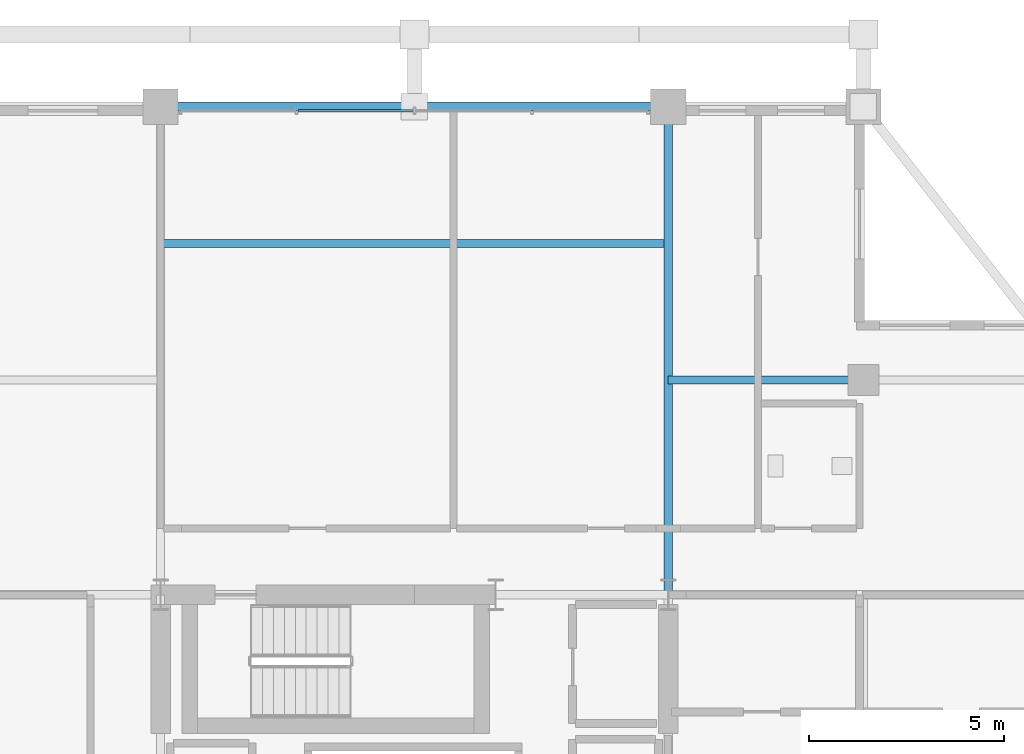
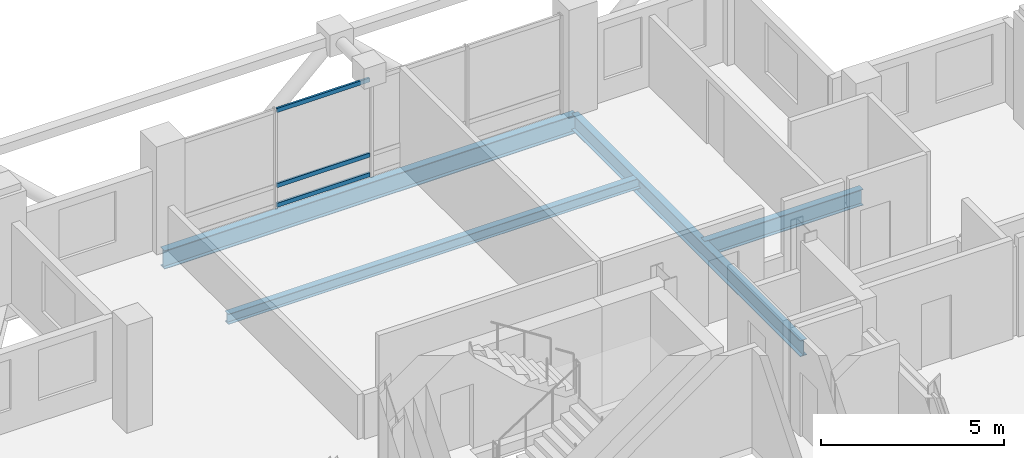
# One storey, part 16 of 25: 4 beams, 3 members, 1 element without a shape of its own.
"""IFC4 building model written with IfcOpenShell, lengths in metres."""

import ifcopenshell
import ifcopenshell.guid

model = None  # the IFC model being written
_history = None  # IfcOwnerHistory: only IFC2X3 demands one
_inside = {}  # id of a spatial element -> (the spatial element, [elements in it])
_under = {}  # id of a project, library or spatial element -> (it, [spatial elements below it])
_declared = {}  # id of a project -> (the project, [libraries it declares])
_typed = {}  # id of a type object -> (the type object, [elements of that type])
_made_of = {}  # id of a material, layer set ... -> (it, [elements and type objects made of it])


def new_model(schema):
    """Start an empty IFC model of exactly this schema.

    Asked for "IFC4X3", IfcOpenShell would pick the latest addendum, in which some entities
    have other attributes; the version numbers below select the first issue.
    IFC2X3 requires an IfcOwnerHistory on every rooted entity: one is made here for all.
    """
    global model, _history
    if schema == "IFC4X3":
        model = ifcopenshell.file(schema_version=(4, 3, 0, 0))
    else:
        model = ifcopenshell.file(schema=schema)
    _inside.clear()
    _under.clear()
    _declared.clear()
    _typed.clear()
    _made_of.clear()
    _history = None
    if model.schema == "IFC2X3":
        org = make("IfcOrganization", Name="unknown")
        user = make(
            "IfcPersonAndOrganization",
            ThePerson=make("IfcPerson", FamilyName="unknown"),
            TheOrganization=org,
        )
        app = make(
            "IfcApplication",
            ApplicationDeveloper=org,
            Version="unknown",
            ApplicationFullName="unknown",
            ApplicationIdentifier="unknown",
        )
        _history = make(
            "IfcOwnerHistory",
            OwningUser=user,
            OwningApplication=app,
            ChangeAction="ADDED",
            CreationDate=0,
        )
    return model


def make(cls, **values):
    """One entity of the class cls with the attributes given. An attribute that is None is left unset."""
    return model.create_entity(
        cls, **{name: value for name, value in values.items() if value is not None}
    )


def rooted(cls, **values):
    """An entity with a GlobalId (a new one), such as an element, a storey or a relation."""
    return make(cls, GlobalId=ifcopenshell.guid.new(), OwnerHistory=_history, **values)


def si_unit(unit_type, name, prefix=None):
    """IfcSIUnit, for example si_unit("LENGTHUNIT", "METRE", prefix="MILLI")."""
    return make("IfcSIUnit", UnitType=unit_type, Prefix=prefix, Name=name)


def assignment(units):
    """IfcUnitAssignment: the units of a project."""
    return None if units is None else make("IfcUnitAssignment", Units=units)


def point(xyz):
    """IfcCartesianPoint."""
    return None if xyz is None else make("IfcCartesianPoint", Coordinates=xyz)


def direction(xyz):
    """IfcDirection."""
    return None if xyz is None else make("IfcDirection", DirectionRatios=xyz)


def frame(location, z_axis=None, x_axis=None):
    """IfcAxis2Placement3D, a coordinate frame: its origin and axes. An axis left out is left unset."""
    return make(
        "IfcAxis2Placement3D",
        Location=point(location),
        Axis=direction(z_axis),
        RefDirection=direction(x_axis),
    )


def frame_2d(location, x_axis=None):
    """IfcAxis2Placement2D, a coordinate frame in the plane: its origin and x axis."""
    return make(
        "IfcAxis2Placement2D", Location=point(location), RefDirection=direction(x_axis)
    )


def origin():
    """The frame at (0, 0, 0) with its axes left unset."""
    return frame((0.0, 0.0, 0.0))


def origin_2d():
    """The frame at (0, 0) in the plane with its x axis left unset."""
    return frame_2d((0.0, 0.0))


def place(relative_to, where):
    """IfcLocalPlacement: puts the frame where relative to a parent placement (None: the world)."""
    return make(
        "IfcLocalPlacement", PlacementRelTo=relative_to, RelativePlacement=where
    )


def context(
    kind, dimensions, precision=None, world=None, true_north=None, identifier=None
):
    """IfcGeometricRepresentationContext, for example the 3D "Model" context."""
    return make(
        "IfcGeometricRepresentationContext",
        ContextIdentifier=identifier,
        ContextType=kind,
        CoordinateSpaceDimension=dimensions,
        Precision=precision,
        WorldCoordinateSystem=world,
        TrueNorth=true_north,
    )


def subcontext(parent, identifier, kind, view, scale=None):
    """IfcGeometricRepresentationSubContext, for example "Body" below "Model"."""
    return make(
        "IfcGeometricRepresentationSubContext",
        ContextIdentifier=identifier,
        ContextType=kind,
        ParentContext=parent,
        TargetScale=scale,
        TargetView=view,
    )


def project(units=None, contexts=None):
    """IfcProject with its units and contexts."""
    return rooted(
        "IfcProject",
        Name="project",
        RepresentationContexts=contexts,
        UnitsInContext=assignment(units),
    )


def spatial(cls, under=None, at=None, **own):
    """A site, building, storey or space (cls), placed at a placement, below another one or the project."""
    s = rooted(cls, ObjectPlacement=at, **own)
    if under is not None:
        _under.setdefault(under.id(), (under, []))[1].append(s)
    return s


def profile(cls, at=None, kind="AREA", **sizes):
    """A parametric profile (cls). Its sizes go by their IFC names, for example OverallWidth=200.0."""
    return make(cls, ProfileType=kind, Position=at, **sizes)


def hollow_rectangle(**sizes):
    """IfcRectangleHollowProfileDef."""
    return profile("IfcRectangleHollowProfileDef", **sizes)


def i_section(**sizes):
    """IfcIShapeProfileDef."""
    return profile("IfcIShapeProfileDef", **sizes)


def extrude(swept, where, along, depth):
    """IfcExtrudedAreaSolid: the profile swept, set in the frame where, extruded along a direction by depth."""
    return make(
        "IfcExtrudedAreaSolid",
        SweptArea=swept,
        Position=where,
        ExtrudedDirection=direction(along),
        Depth=depth,
    )


def shape(context_of_items, identifier, shape_type, items):
    """IfcShapeRepresentation: the items that make up one representation, for example the "Body"."""
    return make(
        "IfcShapeRepresentation",
        ContextOfItems=context_of_items,
        RepresentationIdentifier=identifier,
        RepresentationType=shape_type,
        Items=items,
    )


def material(Name=None, Category=None):
    """IfcMaterial."""
    return make("IfcMaterial", Name=Name, Category=Category)


def layer(
    of_material, thickness, ventilated=None, Name=None, Category=None, Priority=None
):
    """IfcMaterialLayer: one layer of a wall or slab, of a material (None: an air gap)."""
    return make(
        "IfcMaterialLayer",
        Material=of_material,
        LayerThickness=thickness,
        IsVentilated=ventilated,
        Name=Name,
        Category=Category,
        Priority=Priority,
    )


def layer_set(layers, Name=None):
    """IfcMaterialLayerSet."""
    return make("IfcMaterialLayerSet", MaterialLayers=layers, LayerSetName=Name)


def material_profile(
    of_material, cross_section, Name=None, Category=None, Priority=None
):
    """IfcMaterialProfile: a cross section and its material."""
    return make(
        "IfcMaterialProfile",
        Name=Name,
        Material=of_material,
        Profile=cross_section,
        Priority=Priority,
        Category=Category,
    )


def profile_set(profiles, Name=None, composite=None):
    """IfcMaterialProfileSet."""
    return make(
        "IfcMaterialProfileSet",
        Name=Name,
        MaterialProfiles=profiles,
        CompositeProfile=composite,
    )


def made_of(thing, what):
    """Note that an element or type object is made of a material, layer set ...; save() writes the relation."""
    if what is not None:
        _made_of.setdefault(what.id(), (what, []))[1].append(thing)
    return thing


def type_object(cls, material=None, **own):
    """A type object (cls), such as IfcWallType, which elements share."""
    return made_of(rooted(cls, **own), material)


def element(
    cls,
    number,
    at=None,
    inside=None,
    cuts=None,
    type_object=None,
    material=None,
    context=None,
    identifier="Body",
    shape_type=None,
    held_by="IfcProductDefinitionShape",
    body=None,
    shapes=None,
    **own,
):
    """One element of the class cls, such as IfcWall. Its Tag is "e" and its number.

    at: its placement. inside: the storey or other place that contains it. cuts: it is an
    opening in that element (IfcRelVoidsElement). A single representation is given by context,
    identifier, shape_type and body (its items); several are given by shapes. held_by: the class
    of the entity that holds the representations. save() writes the other relations.
    """
    e = rooted(cls, Tag="e%d" % number, ObjectPlacement=at, **own)
    if body is not None:
        shapes = [shape(context, identifier, shape_type, body)]
    if shapes is not None:
        e.Representation = make(held_by, Representations=shapes)
    if inside is not None:
        _inside.setdefault(inside.id(), (inside, []))[1].append(e)
    if cuts is not None:
        rooted(
            "IfcRelVoidsElement", RelatingBuildingElement=cuts, RelatedOpeningElement=e
        )
    if type_object is not None:
        _typed.setdefault(type_object.id(), (type_object, []))[1].append(e)
    return made_of(e, material)


def aggregate(whole, parts):
    """IfcRelAggregates: a whole, such as a stair, and the parts it consists of."""
    return rooted("IfcRelAggregates", RelatingObject=whole, RelatedObjects=parts)


def save(model, path):
    """Write the relations noted so far, then the file.

    IfcRelAggregates (storeys below a building ...), IfcRelContainedInSpatialStructure (elements
    in a storey), IfcRelDefinesByType, IfcRelAssociatesMaterial and IfcRelDeclares: one each for
    every whole, place, type object, material and project.
    """
    for whole, parts in _under.values():
        aggregate(whole, parts)
    for where, things in _inside.values():
        rooted(
            "IfcRelContainedInSpatialStructure",
            RelatedElements=things,
            RelatingStructure=where,
        )
    for kind, things in _typed.values():
        rooted("IfcRelDefinesByType", RelatedObjects=things, RelatingType=kind)
    for what, things in _made_of.values():
        rooted("IfcRelAssociatesMaterial", RelatedObjects=things, RelatingMaterial=what)
    for by, libraries in _declared.values():
        rooted("IfcRelDeclares", RelatingContext=by, RelatedDefinitions=libraries)
    model.write(path)


model = new_model("IFC4")

# Units and contexts
model_context = context("Model", 3, precision=1e-05, world=origin(), true_north=direction((0.0, 1.0)))
body_context = subcontext(model_context, "Body", "Model", "MODEL_VIEW")
ifc_project = project(units=[si_unit("LENGTHUNIT", "METRE"), si_unit("AREAUNIT", "SQUARE_METRE"), si_unit("VOLUMEUNIT", "CUBIC_METRE"), si_unit("PLANEANGLEUNIT", "RADIAN"), si_unit("MASSUNIT", "GRAM", prefix="KILO")], contexts=[model_context])

# Site, building, storey
site_placement = place(None, origin())
site = spatial("IfcSite", under=ifc_project, at=site_placement, CompositionType="ELEMENT")
building_placement = place(site_placement, origin())
building = spatial("IfcBuilding", under=site, at=building_placement, Name="Barlavira Tower and Art Museum", CompositionType="ELEMENT")
storey_placement = place(building_placement, frame((0.0, 0.0, 301.5)))
storey = spatial("IfcBuildingStorey", under=building, at=storey_placement, Name="L79", CompositionType="ELEMENT", Elevation=301.5)

# Curtain wall, members
ifc_material_1 = material(Name="Low-iron coastal laminated glass", Category="glass")
ifc_layer = layer(ifc_material_1, 0.2099609375, Name="Low-iron coastal laminated glass")
ifc_layer_set = layer_set([ifc_layer], Name="Low-iron coastal laminated glass")
curtain_wall_type = type_object("IfcCurtainWallType", Name="Pale-Metal Unitised Curtain Wall Zone 4", PredefinedType="NOTDEFINED", material=ifc_layer_set)
curtain_wall_placement = place(storey_placement, origin())
curtain_wall = element("IfcCurtainWall", 1, at=curtain_wall_placement, inside=storey, type_object=curtain_wall_type, Name="L79 Curtain Wall CW4-L79-N-B2", PredefinedType="NOTDEFINED")
ifc_material_2 = material(Name="Pale anodised aluminium", Category="aluminium")
ifc_material_profile_1 = material_profile(ifc_material_2, hollow_rectangle(XDim=0.06494140625, YDim=0.139892578125, WallThickness=0.00390625, at=origin_2d()), Name="ALU-TRAN 65x140x4")
ifc_profile_set_1 = profile_set([ifc_material_profile_1], Name="Pale anodised aluminium")
member_type = type_object("IfcMemberType", Name="Curtain Wall Pale-Metal Transom 65x140", PredefinedType="USERDEFINED", material=ifc_profile_set_1)
member_1_placement = place(storey_placement, frame((-0.044921875, 19.89990234375, 0.070068359375), z_axis=(-1.0, 0.0, 0.0), x_axis=(0.0, -1.0, 0.0)))
member_1 = element("IfcMember", 2, at=member_1_placement, type_object=member_type, Name="CW4-L79-N-B2 Transom 2.1", ObjectType="TRANSOM", PredefinedType="USERDEFINED", context=body_context, shape_type="SweptSolid", body=[
    extrude(hollow_rectangle(XDim=0.06494140625, YDim=0.139892578125, WallThickness=0.00390625, at=origin_2d()), origin(), (0.0, 0.0, 1.0), 2.925048828125),
])
member_2_placement = place(storey_placement, frame((-0.044921875, 19.89990234375, 0.72607421875), z_axis=(-1.0, 0.0, 0.0), x_axis=(0.0, -1.0, 0.0)))
member_2 = element("IfcMember", 3, at=member_2_placement, type_object=member_type, Name="CW4-L79-N-B2 Transom 2.2", ObjectType="TRANSOM", PredefinedType="USERDEFINED", context=body_context, shape_type="SweptSolid", body=[
    extrude(hollow_rectangle(XDim=0.06494140625, YDim=0.139892578125, WallThickness=0.00390625, at=origin_2d()), origin(), (0.0, 0.0, 1.0), 2.925048828125),
])
member_3_placement = place(storey_placement, frame((-0.044921875, 19.89990234375, 3.22998046875), z_axis=(-1.0, 0.0, 0.0), x_axis=(0.0, -1.0, 0.0)))
member_3 = element("IfcMember", 4, at=member_3_placement, type_object=member_type, Name="CW4-L79-N-B2 Transom 2.3", ObjectType="TRANSOM", PredefinedType="USERDEFINED", context=body_context, shape_type="SweptSolid", body=[
    extrude(hollow_rectangle(XDim=0.06494140625, YDim=0.139892578125, WallThickness=0.00390625, at=origin_2d()), origin(), (0.0, 0.0, 1.0), 2.925048828125),
])
aggregate(curtain_wall, [member_1, member_2, member_3])

# Beams
ifc_material_3 = material(Name="Steel S355", Category="steel")
ifc_material_profile_2 = material_profile(ifc_material_3, i_section(OverallWidth=0.22998046875, OverallDepth=0.616943359375, WebThickness=0.01318359375, FlangeThickness=0.022216796875, at=origin_2d()), Name="W610x140.0")
ifc_profile_set_2 = profile_set([ifc_material_profile_2], Name="Steel S355")
beam_type_1 = type_object("IfcBeamType", Name="Upper Shaft Spandrel Edge Beam W610x140 Steel S355", PredefinedType="SPANDREL", material=ifc_profile_set_2)
beam_1_placement = place(storey_placement, frame((-6.5, 20.0, -0.528564453125), z_axis=(1.0, 0.0, 0.0), x_axis=(0.0, 1.0, 0.0)))
element("IfcBeam", 5, at=beam_1_placement, inside=storey, type_object=beam_type_1, Name="L79 Spandrel 10", PredefinedType="SPANDREL", context=body_context, shape_type="SweptSolid", body=[
    extrude(i_section(OverallWidth=0.22998046875, OverallDepth=0.616943359375, WebThickness=0.01318359375, FlangeThickness=0.022216796875, at=origin_2d()), origin(), (0.0, 0.0, 1.0), 13.0),
])
ifc_material_profile_3 = material_profile(ifc_material_3, i_section(OverallWidth=0.2109375, OverallDepth=0.5390625, WebThickness=0.01171875, FlangeThickness=0.018798828125, at=origin_2d()), Name="W530x109.0")
ifc_profile_set_3 = profile_set([ifc_material_profile_3], Name="Steel S355")
beam_type_2 = type_object("IfcBeamType", Name="Zone 3-4 Primary Floor Girder W530x109 Steel S355", PredefinedType="BEAM", material=ifc_profile_set_3)
beam_2_placement = place(storey_placement, frame((6.5, 7.5, -0.489501953125), z_axis=(0.0, 1.0, 0.0), x_axis=(-1.0, 0.0, 0.0)))
element("IfcBeam", 6, at=beam_2_placement, inside=storey, type_object=beam_type_2, Name="L79 Girder R-N2", PredefinedType="BEAM", context=body_context, shape_type="SweptSolid", body=[
    extrude(i_section(OverallWidth=0.2109375, OverallDepth=0.5390625, WebThickness=0.01171875, FlangeThickness=0.018798828125, at=origin_2d()), origin(), (0.0, 0.0, 1.0), 12.5),
])
beam_3_placement = place(storey_placement, frame((6.5, 13.0, -0.489501953125), z_axis=(1.0, 0.0, 0.0), x_axis=(0.0, 1.0, 0.0)))
element("IfcBeam", 7, at=beam_3_placement, inside=storey, type_object=beam_type_2, Name="L79 Girder I-N3", PredefinedType="BEAM", context=body_context, shape_type="SweptSolid", body=[
    extrude(i_section(OverallWidth=0.2109375, OverallDepth=0.5390625, WebThickness=0.01171875, FlangeThickness=0.018798828125, at=origin_2d()), origin(), (0.0, 0.0, 1.0), 5.0),
])
ifc_material_profile_4 = material_profile(ifc_material_3, i_section(OverallWidth=0.202880859375, OverallDepth=0.346923828125, WebThickness=0.0078125, FlangeThickness=0.013427734375, at=origin_2d()), Name="W360x64.0")
ifc_profile_set_4 = profile_set([ifc_material_profile_4], Name="Steel S355")
beam_type_3 = type_object("IfcBeamType", Name="Zone 4 Composite Floor Joist W360x64 Steel S355", PredefinedType="JOIST", material=ifc_profile_set_4)
beam_4_placement = place(storey_placement, frame((-6.5, 16.5, -0.3935546875), z_axis=(1.0, 0.0, 0.0), x_axis=(0.0, 1.0, 0.0)))
element("IfcBeam", 8, at=beam_4_placement, inside=storey, type_object=beam_type_3, Name="L79 Joist C2", PredefinedType="JOIST", context=body_context, shape_type="SweptSolid", body=[
    extrude(i_section(OverallWidth=0.202880859375, OverallDepth=0.346923828125, WebThickness=0.0078125, FlangeThickness=0.013427734375, at=origin_2d()), origin(), (0.0, 0.0, 1.0), 13.0),
])

save(model, "model.ifc")
